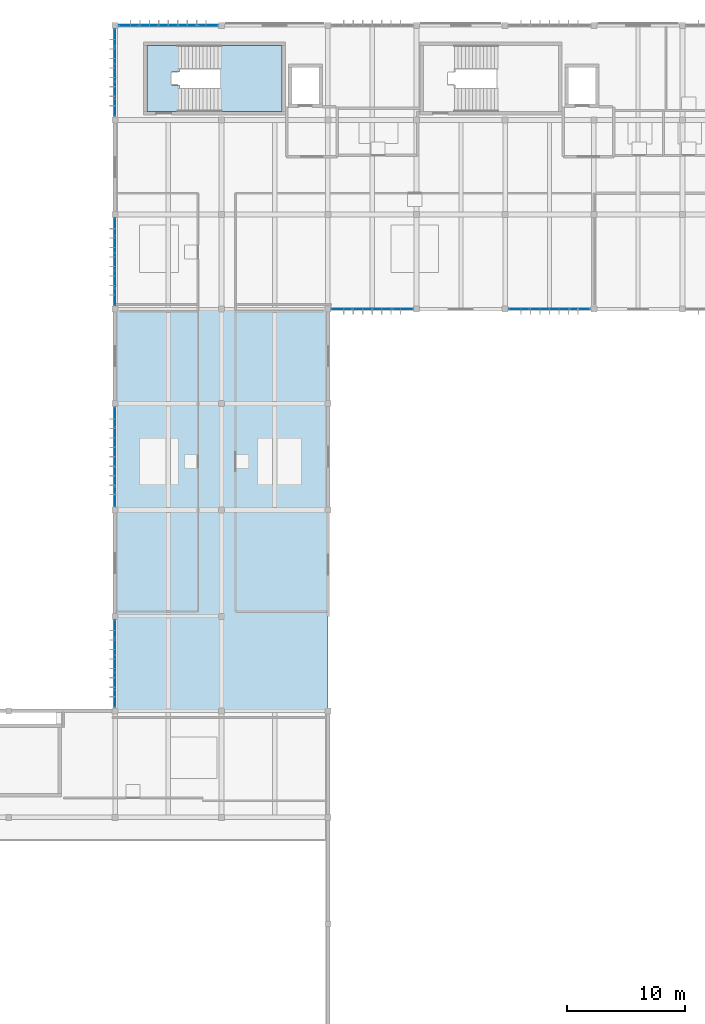
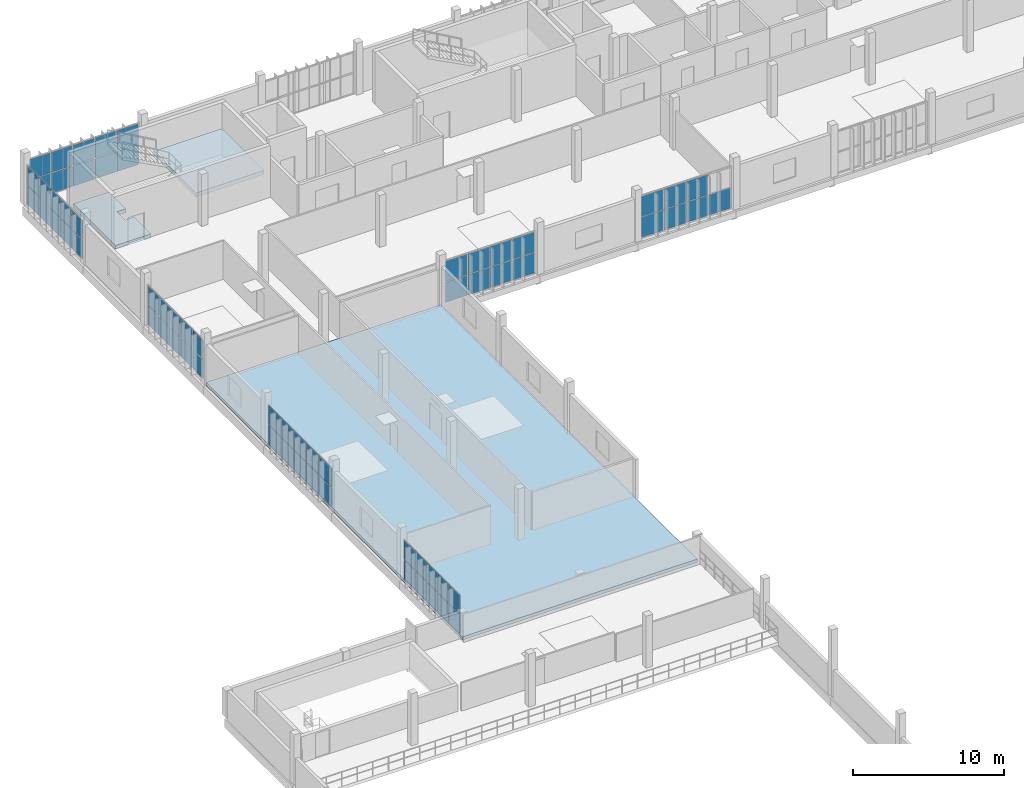
# One storey, part 15 of 27: 65 plates, 3 slabs, 8 elements without a shape of their own.
"""IFC4 building model written with IfcOpenShell, lengths in metres."""

from ifc_helpers import new_model, si_unit, direction, frame, origin, origin_2d, place, context, subcontext, project, spatial, polyline, rectangle, outline, extrude, material, layer, layer_set, type_object, element, aggregate, save


model = new_model("IFC4")

# Units and contexts
model_context = context("Model", 3, precision=1e-05, world=origin(), true_north=direction((0.0, 1.0)))
body_context = subcontext(model_context, "Body", "Model", "MODEL_VIEW")
ifc_project = project(units=[si_unit("LENGTHUNIT", "METRE"), si_unit("AREAUNIT", "SQUARE_METRE"), si_unit("VOLUMEUNIT", "CUBIC_METRE"), si_unit("PLANEANGLEUNIT", "RADIAN"), si_unit("MASSUNIT", "GRAM", prefix="KILO")], contexts=[model_context])

# Site, building, storey
site_placement = place(None, origin())
site = spatial("IfcSite", under=ifc_project, at=site_placement, CompositionType="ELEMENT")
building_placement = place(site_placement, origin())
building = spatial("IfcBuilding", under=site, at=building_placement, Name="Vourika Railside Aquatics Centre", CompositionType="ELEMENT")
storey_placement = place(building_placement, frame((0.0, 0.0, 13.5)))
storey = spatial("IfcBuildingStorey", under=building, at=storey_placement, Name="L03", CompositionType="ELEMENT", Elevation=13.5)

# Curtain wall, plates
ifc_material_1 = material(Name="Anodized thermally broken aluminium", Category="aluminium")
curtain_wall_type = type_object("IfcCurtainWallType", Name="CW-FIT3", PredefinedType="NOTDEFINED", material=ifc_material_1)
curtain_wall_1_placement = place(storey_placement, origin())
curtain_wall_1 = element("IfcCurtainWall", 1, at=curtain_wall_1_placement, inside=storey, type_object=curtain_wall_type, Name="North Boulevard Curtain Wall L03-1", PredefinedType="NOTDEFINED")
ifc_material_2 = material(Name="Low-E solar-control laminated double glazing", Category="glass")
ifc_layer_1 = layer(ifc_material_2, 0.02392578125, Name="CWP-FIT3")
ifc_layer_set_1 = layer_set([ifc_layer_1], Name="Low-E solar-control laminated double glazing")
plate_type = type_object("IfcPlateType", Name="CWP-FIT3", PredefinedType="CURTAIN_PANEL", material=ifc_layer_set_1)
plate_1_placement = place(storey_placement, frame((25.861572265625, 116.0, 0.05810546875), z_axis=(0.0, 0.0, 1.0), x_axis=(-1.0, 0.0, 0.0)))
plate_1 = element("IfcPlate", 2, at=plate_1_placement, type_object=plate_type, Name="CW17 panel 1.1", PredefinedType="CURTAIN_PANEL", context=body_context, shape_type="SweptSolid", body=[
    extrude(rectangle(XDim=1.60107421875, YDim=0.02392578125, at=origin_2d()), origin(), (0.0, 0.0, 1.0), 1.633056640625),
])
plate_2_placement = place(storey_placement, frame((25.861572265625, 116.0, 1.7490234375), z_axis=(0.0, 0.0, 1.0), x_axis=(-1.0, 0.0, 0.0)))
plate_2 = element("IfcPlate", 3, at=plate_2_placement, type_object=plate_type, Name="CW17 panel 1.2", PredefinedType="CURTAIN_PANEL", context=body_context, shape_type="SweptSolid", body=[
    extrude(rectangle(XDim=1.60107421875, YDim=0.02392578125, at=origin_2d()), origin(), (0.0, 0.0, 1.0), 1.633056640625),
])
plate_3_placement = place(storey_placement, frame((24.18798828125, 116.0, 0.05810546875), z_axis=(0.0, 0.0, 1.0), x_axis=(-1.0, 0.0, 0.0)))
plate_3 = element("IfcPlate", 4, at=plate_3_placement, type_object=plate_type, Name="CW17 panel 2.1", PredefinedType="CURTAIN_PANEL", context=body_context, shape_type="SweptSolid", body=[
    extrude(rectangle(XDim=1.6298828125, YDim=0.02392578125, at=origin_2d()), origin(), (0.0, 0.0, 1.0), 1.633056640625),
])
plate_4_placement = place(storey_placement, frame((24.18798828125, 116.0, 1.7490234375), z_axis=(0.0, 0.0, 1.0), x_axis=(-1.0, 0.0, 0.0)))
plate_4 = element("IfcPlate", 5, at=plate_4_placement, type_object=plate_type, Name="CW17 panel 2.2", PredefinedType="CURTAIN_PANEL", context=body_context, shape_type="SweptSolid", body=[
    extrude(rectangle(XDim=1.6298828125, YDim=0.02392578125, at=origin_2d()), origin(), (0.0, 0.0, 1.0), 1.633056640625),
])
plate_5_placement = place(storey_placement, frame((22.5, 116.0, 0.05810546875), z_axis=(0.0, 0.0, 1.0), x_axis=(-1.0, 0.0, 0.0)))
plate_5 = element("IfcPlate", 6, at=plate_5_placement, type_object=plate_type, Name="CW17 panel 3.1", PredefinedType="CURTAIN_PANEL", context=body_context, shape_type="SweptSolid", body=[
    extrude(rectangle(XDim=1.6298828125, YDim=0.02392578125, at=origin_2d()), origin(), (0.0, 0.0, 1.0), 1.633056640625),
])
plate_6_placement = place(storey_placement, frame((22.5, 116.0, 1.7490234375), z_axis=(0.0, 0.0, 1.0), x_axis=(-1.0, 0.0, 0.0)))
plate_6 = element("IfcPlate", 7, at=plate_6_placement, type_object=plate_type, Name="CW17 panel 3.2", PredefinedType="CURTAIN_PANEL", context=body_context, shape_type="SweptSolid", body=[
    extrude(rectangle(XDim=1.6298828125, YDim=0.02392578125, at=origin_2d()), origin(), (0.0, 0.0, 1.0), 1.633056640625),
])
plate_7_placement = place(storey_placement, frame((20.81201171875, 116.0, 0.05810546875), z_axis=(0.0, 0.0, 1.0), x_axis=(-1.0, 0.0, 0.0)))
plate_7 = element("IfcPlate", 8, at=plate_7_placement, type_object=plate_type, Name="CW17 panel 4.1", PredefinedType="CURTAIN_PANEL", context=body_context, shape_type="SweptSolid", body=[
    extrude(rectangle(XDim=1.6298828125, YDim=0.02392578125, at=origin_2d()), origin(), (0.0, 0.0, 1.0), 1.633056640625),
])
plate_8_placement = place(storey_placement, frame((20.81201171875, 116.0, 1.7490234375), z_axis=(0.0, 0.0, 1.0), x_axis=(-1.0, 0.0, 0.0)))
plate_8 = element("IfcPlate", 9, at=plate_8_placement, type_object=plate_type, Name="CW17 panel 4.2", PredefinedType="CURTAIN_PANEL", context=body_context, shape_type="SweptSolid", body=[
    extrude(rectangle(XDim=1.6298828125, YDim=0.02392578125, at=origin_2d()), origin(), (0.0, 0.0, 1.0), 1.633056640625),
])
plate_9_placement = place(storey_placement, frame((19.138427734375, 116.0, 0.05810546875), z_axis=(0.0, 0.0, 1.0), x_axis=(-1.0, 0.0, 0.0)))
plate_9 = element("IfcPlate", 10, at=plate_9_placement, type_object=plate_type, Name="CW17 panel 5.1", PredefinedType="CURTAIN_PANEL", context=body_context, shape_type="SweptSolid", body=[
    extrude(rectangle(XDim=1.60107421875, YDim=0.02392578125, at=origin_2d()), origin(), (0.0, 0.0, 1.0), 1.633056640625),
])
plate_10_placement = place(storey_placement, frame((19.138427734375, 116.0, 1.7490234375), z_axis=(0.0, 0.0, 1.0), x_axis=(-1.0, 0.0, 0.0)))
plate_10 = element("IfcPlate", 11, at=plate_10_placement, type_object=plate_type, Name="CW17 panel 5.2", PredefinedType="CURTAIN_PANEL", context=body_context, shape_type="SweptSolid", body=[
    extrude(rectangle(XDim=1.60107421875, YDim=0.02392578125, at=origin_2d()), origin(), (0.0, 0.0, 1.0), 1.633056640625),
])
aggregate(curtain_wall_1, [plate_1, plate_2, plate_3, plate_4, plate_5, plate_6, plate_7, plate_8, plate_9, plate_10])

curtain_wall_2_placement = place(storey_placement, origin())
curtain_wall_2 = element("IfcCurtainWall", 12, at=curtain_wall_2_placement, inside=storey, type_object=curtain_wall_type, Name="Courtyard Fitness Curtain Wall L03-1", PredefinedType="NOTDEFINED")
plate_11_placement = place(storey_placement, frame((37.162109375, 92.0, 0.05810546875), z_axis=(0.0, 0.0, 1.0), x_axis=(1.0, 0.0, 0.0)))
plate_11 = element("IfcPlate", 13, at=plate_11_placement, type_object=plate_type, Name="CW17 panel 1.1", PredefinedType="CURTAIN_PANEL", context=body_context, shape_type="SweptSolid", body=[
    extrude(rectangle(XDim=1.64794921875, YDim=0.02392578125, at=origin_2d()), origin(), (0.0, 0.0, 1.0), 1.633056640625),
])
plate_12_placement = place(storey_placement, frame((37.162109375, 92.0, 1.7490234375), z_axis=(0.0, 0.0, 1.0), x_axis=(1.0, 0.0, 0.0)))
plate_12 = element("IfcPlate", 14, at=plate_12_placement, type_object=plate_type, Name="CW17 panel 1.2", PredefinedType="CURTAIN_PANEL", context=body_context, shape_type="SweptSolid", body=[
    extrude(rectangle(XDim=1.64794921875, YDim=0.02392578125, at=origin_2d()), origin(), (0.0, 0.0, 1.0), 1.633056640625),
])
plate_13_placement = place(storey_placement, frame((38.882568359375, 92.0, 0.05810546875), z_axis=(0.0, 0.0, 1.0), x_axis=(1.0, 0.0, 0.0)))
plate_13 = element("IfcPlate", 15, at=plate_13_placement, type_object=plate_type, Name="CW17 panel 2.1", PredefinedType="CURTAIN_PANEL", context=body_context, shape_type="SweptSolid", body=[
    extrude(rectangle(XDim=1.677001953125, YDim=0.02392578125, at=origin_2d()), origin(), (0.0, 0.0, 1.0), 1.633056640625),
])
plate_14_placement = place(storey_placement, frame((38.882568359375, 92.0, 1.7490234375), z_axis=(0.0, 0.0, 1.0), x_axis=(1.0, 0.0, 0.0)))
plate_14 = element("IfcPlate", 16, at=plate_14_placement, type_object=plate_type, Name="CW17 panel 2.2", PredefinedType="CURTAIN_PANEL", context=body_context, shape_type="SweptSolid", body=[
    extrude(rectangle(XDim=1.677001953125, YDim=0.02392578125, at=origin_2d()), origin(), (0.0, 0.0, 1.0), 1.633056640625),
])
plate_15_placement = place(storey_placement, frame((40.617431640625, 92.0, 0.05810546875), z_axis=(0.0, 0.0, 1.0), x_axis=(1.0, 0.0, 0.0)))
plate_15 = element("IfcPlate", 17, at=plate_15_placement, type_object=plate_type, Name="CW17 panel 3.1", PredefinedType="CURTAIN_PANEL", context=body_context, shape_type="SweptSolid", body=[
    extrude(rectangle(XDim=1.677001953125, YDim=0.02392578125, at=origin_2d()), origin(), (0.0, 0.0, 1.0), 1.633056640625),
])
plate_16_placement = place(storey_placement, frame((40.617431640625, 92.0, 1.7490234375), z_axis=(0.0, 0.0, 1.0), x_axis=(1.0, 0.0, 0.0)))
plate_16 = element("IfcPlate", 18, at=plate_16_placement, type_object=plate_type, Name="CW17 panel 3.2", PredefinedType="CURTAIN_PANEL", context=body_context, shape_type="SweptSolid", body=[
    extrude(rectangle(XDim=1.677001953125, YDim=0.02392578125, at=origin_2d()), origin(), (0.0, 0.0, 1.0), 1.633056640625),
])
plate_17_placement = place(storey_placement, frame((42.337890625, 92.0, 0.05810546875), z_axis=(0.0, 0.0, 1.0), x_axis=(1.0, 0.0, 0.0)))
plate_17 = element("IfcPlate", 19, at=plate_17_placement, type_object=plate_type, Name="CW17 panel 4.1", PredefinedType="CURTAIN_PANEL", context=body_context, shape_type="SweptSolid", body=[
    extrude(rectangle(XDim=1.64794921875, YDim=0.02392578125, at=origin_2d()), origin(), (0.0, 0.0, 1.0), 1.633056640625),
])
plate_18_placement = place(storey_placement, frame((42.337890625, 92.0, 1.7490234375), z_axis=(0.0, 0.0, 1.0), x_axis=(1.0, 0.0, 0.0)))
plate_18 = element("IfcPlate", 20, at=plate_18_placement, type_object=plate_type, Name="CW17 panel 4.2", PredefinedType="CURTAIN_PANEL", context=body_context, shape_type="SweptSolid", body=[
    extrude(rectangle(XDim=1.64794921875, YDim=0.02392578125, at=origin_2d()), origin(), (0.0, 0.0, 1.0), 1.633056640625),
])
aggregate(curtain_wall_2, [plate_11, plate_12, plate_13, plate_14, plate_15, plate_16, plate_17, plate_18])

curtain_wall_3_placement = place(storey_placement, origin())
curtain_wall_3 = element("IfcCurtainWall", 21, at=curtain_wall_3_placement, inside=storey, type_object=curtain_wall_type, Name="Courtyard Fitness Curtain Wall L03-3", PredefinedType="NOTDEFINED")
plate_19_placement = place(storey_placement, frame((52.162109375, 92.0, 0.05810546875), z_axis=(0.0, 0.0, 1.0), x_axis=(1.0, 0.0, 0.0)))
plate_19 = element("IfcPlate", 22, at=plate_19_placement, type_object=plate_type, Name="CW17 panel 1.1", PredefinedType="CURTAIN_PANEL", context=body_context, shape_type="SweptSolid", body=[
    extrude(rectangle(XDim=1.64794921875, YDim=0.02392578125, at=origin_2d()), origin(), (0.0, 0.0, 1.0), 1.633056640625),
])
plate_20_placement = place(storey_placement, frame((52.162109375, 92.0, 1.7490234375), z_axis=(0.0, 0.0, 1.0), x_axis=(1.0, 0.0, 0.0)))
plate_20 = element("IfcPlate", 23, at=plate_20_placement, type_object=plate_type, Name="CW17 panel 1.2", PredefinedType="CURTAIN_PANEL", context=body_context, shape_type="SweptSolid", body=[
    extrude(rectangle(XDim=1.64794921875, YDim=0.02392578125, at=origin_2d()), origin(), (0.0, 0.0, 1.0), 1.633056640625),
])
plate_21_placement = place(storey_placement, frame((53.882568359375, 92.0, 0.05810546875), z_axis=(0.0, 0.0, 1.0), x_axis=(1.0, 0.0, 0.0)))
plate_21 = element("IfcPlate", 24, at=plate_21_placement, type_object=plate_type, Name="CW17 panel 2.1", PredefinedType="CURTAIN_PANEL", context=body_context, shape_type="SweptSolid", body=[
    extrude(rectangle(XDim=1.677001953125, YDim=0.02392578125, at=origin_2d()), origin(), (0.0, 0.0, 1.0), 1.633056640625),
])
plate_22_placement = place(storey_placement, frame((53.882568359375, 92.0, 1.7490234375), z_axis=(0.0, 0.0, 1.0), x_axis=(1.0, 0.0, 0.0)))
plate_22 = element("IfcPlate", 25, at=plate_22_placement, type_object=plate_type, Name="CW17 panel 2.2", PredefinedType="CURTAIN_PANEL", context=body_context, shape_type="SweptSolid", body=[
    extrude(rectangle(XDim=1.677001953125, YDim=0.02392578125, at=origin_2d()), origin(), (0.0, 0.0, 1.0), 1.633056640625),
])
plate_23_placement = place(storey_placement, frame((55.617431640625, 92.0, 0.05810546875), z_axis=(0.0, 0.0, 1.0), x_axis=(1.0, 0.0, 0.0)))
plate_23 = element("IfcPlate", 26, at=plate_23_placement, type_object=plate_type, Name="CW17 panel 3.1", PredefinedType="CURTAIN_PANEL", context=body_context, shape_type="SweptSolid", body=[
    extrude(rectangle(XDim=1.677001953125, YDim=0.02392578125, at=origin_2d()), origin(), (0.0, 0.0, 1.0), 1.633056640625),
])
plate_24_placement = place(storey_placement, frame((55.617431640625, 92.0, 1.7490234375), z_axis=(0.0, 0.0, 1.0), x_axis=(1.0, 0.0, 0.0)))
plate_24 = element("IfcPlate", 27, at=plate_24_placement, type_object=plate_type, Name="CW17 panel 3.2", PredefinedType="CURTAIN_PANEL", context=body_context, shape_type="SweptSolid", body=[
    extrude(rectangle(XDim=1.677001953125, YDim=0.02392578125, at=origin_2d()), origin(), (0.0, 0.0, 1.0), 1.633056640625),
])
plate_25_placement = place(storey_placement, frame((57.337890625, 92.0, 0.05810546875), z_axis=(0.0, 0.0, 1.0), x_axis=(1.0, 0.0, 0.0)))
plate_25 = element("IfcPlate", 28, at=plate_25_placement, type_object=plate_type, Name="CW17 panel 4.1", PredefinedType="CURTAIN_PANEL", context=body_context, shape_type="SweptSolid", body=[
    extrude(rectangle(XDim=1.64794921875, YDim=0.02392578125, at=origin_2d()), origin(), (0.0, 0.0, 1.0), 1.633056640625),
])
aggregate(curtain_wall_3, [plate_19, plate_20, plate_21, plate_22, plate_23, plate_24, plate_25])

curtain_wall_4_placement = place(storey_placement, origin())
curtain_wall_4 = element("IfcCurtainWall", 29, at=curtain_wall_4_placement, inside=storey, type_object=curtain_wall_type, Name="Fitness West Boulevard Curtain Wall L03-1", PredefinedType="NOTDEFINED")
plate_26_placement = place(storey_placement, frame((18.0, 64.96142578125, 0.05810546875), z_axis=(0.0, 0.0, 1.0), x_axis=(0.0, -1.0, 0.0)))
plate_26 = element("IfcPlate", 30, at=plate_26_placement, type_object=plate_type, Name="CW17 panel 1.1", PredefinedType="CURTAIN_PANEL", context=body_context, shape_type="SweptSolid", body=[
    extrude(rectangle(XDim=1.40087890625, YDim=0.02392578125, at=origin_2d()), origin(), (0.0, 0.0, 1.0), 1.532958984375),
])
plate_27_placement = place(storey_placement, frame((18.0, 64.96142578125, 1.64892578125), z_axis=(0.0, 0.0, 1.0), x_axis=(0.0, -1.0, 0.0)))
plate_27 = element("IfcPlate", 31, at=plate_27_placement, type_object=plate_type, Name="CW17 panel 1.2", PredefinedType="CURTAIN_PANEL", context=body_context, shape_type="SweptSolid", body=[
    extrude(rectangle(XDim=1.40087890625, YDim=0.02392578125, at=origin_2d()), origin(), (0.0, 0.0, 1.0), 1.532958984375),
])
plate_28_placement = place(storey_placement, frame((18.0, 63.488037109375, 0.05810546875), z_axis=(0.0, 0.0, 1.0), x_axis=(0.0, -1.0, 0.0)))
plate_28 = element("IfcPlate", 32, at=plate_28_placement, type_object=plate_type, Name="CW17 panel 2.1", PredefinedType="CURTAIN_PANEL", context=body_context, shape_type="SweptSolid", body=[
    extrude(rectangle(XDim=1.429931640625, YDim=0.02392578125, at=origin_2d()), origin(), (0.0, 0.0, 1.0), 1.532958984375),
])
plate_29_placement = place(storey_placement, frame((18.0, 63.488037109375, 1.64892578125), z_axis=(0.0, 0.0, 1.0), x_axis=(0.0, -1.0, 0.0)))
plate_29 = element("IfcPlate", 33, at=plate_29_placement, type_object=plate_type, Name="CW17 panel 2.2", PredefinedType="CURTAIN_PANEL", context=body_context, shape_type="SweptSolid", body=[
    extrude(rectangle(XDim=1.429931640625, YDim=0.02392578125, at=origin_2d()), origin(), (0.0, 0.0, 1.0), 1.532958984375),
])
plate_30_placement = place(storey_placement, frame((18.0, 62.0, 0.05810546875), z_axis=(0.0, 0.0, 1.0), x_axis=(0.0, -1.0, 0.0)))
plate_30 = element("IfcPlate", 34, at=plate_30_placement, type_object=plate_type, Name="CW17 panel 3.1", PredefinedType="CURTAIN_PANEL", context=body_context, shape_type="SweptSolid", body=[
    extrude(rectangle(XDim=1.429931640625, YDim=0.02392578125, at=origin_2d()), origin(), (0.0, 0.0, 1.0), 1.532958984375),
])
plate_31_placement = place(storey_placement, frame((18.0, 62.0, 1.64892578125), z_axis=(0.0, 0.0, 1.0), x_axis=(0.0, -1.0, 0.0)))
plate_31 = element("IfcPlate", 35, at=plate_31_placement, type_object=plate_type, Name="CW17 panel 3.2", PredefinedType="CURTAIN_PANEL", context=body_context, shape_type="SweptSolid", body=[
    extrude(rectangle(XDim=1.429931640625, YDim=0.02392578125, at=origin_2d()), origin(), (0.0, 0.0, 1.0), 1.532958984375),
])
plate_32_placement = place(storey_placement, frame((18.0, 60.511962890625, 0.05810546875), z_axis=(0.0, 0.0, 1.0), x_axis=(0.0, -1.0, 0.0)))
plate_32 = element("IfcPlate", 36, at=plate_32_placement, type_object=plate_type, Name="CW17 panel 4.1", PredefinedType="CURTAIN_PANEL", context=body_context, shape_type="SweptSolid", body=[
    extrude(rectangle(XDim=1.429931640625, YDim=0.02392578125, at=origin_2d()), origin(), (0.0, 0.0, 1.0), 1.532958984375),
])
plate_33_placement = place(storey_placement, frame((18.0, 60.511962890625, 1.64892578125), z_axis=(0.0, 0.0, 1.0), x_axis=(0.0, -1.0, 0.0)))
plate_33 = element("IfcPlate", 37, at=plate_33_placement, type_object=plate_type, Name="CW17 panel 4.2", PredefinedType="CURTAIN_PANEL", context=body_context, shape_type="SweptSolid", body=[
    extrude(rectangle(XDim=1.429931640625, YDim=0.02392578125, at=origin_2d()), origin(), (0.0, 0.0, 1.0), 1.532958984375),
])
plate_34_placement = place(storey_placement, frame((18.0, 59.03857421875, 0.05810546875), z_axis=(0.0, 0.0, 1.0), x_axis=(0.0, -1.0, 0.0)))
plate_34 = element("IfcPlate", 38, at=plate_34_placement, type_object=plate_type, Name="CW17 panel 5.1", PredefinedType="CURTAIN_PANEL", context=body_context, shape_type="SweptSolid", body=[
    extrude(rectangle(XDim=1.40087890625, YDim=0.02392578125, at=origin_2d()), origin(), (0.0, 0.0, 1.0), 1.532958984375),
])
plate_35_placement = place(storey_placement, frame((18.0, 59.03857421875, 1.64892578125), z_axis=(0.0, 0.0, 1.0), x_axis=(0.0, -1.0, 0.0)))
plate_35 = element("IfcPlate", 39, at=plate_35_placement, type_object=plate_type, Name="CW17 panel 5.2", PredefinedType="CURTAIN_PANEL", context=body_context, shape_type="SweptSolid", body=[
    extrude(rectangle(XDim=1.40087890625, YDim=0.02392578125, at=origin_2d()), origin(), (0.0, 0.0, 1.0), 1.532958984375),
])
aggregate(curtain_wall_4, [plate_26, plate_27, plate_28, plate_29, plate_30, plate_31, plate_32, plate_33, plate_34, plate_35])

curtain_wall_5_placement = place(storey_placement, origin())
curtain_wall_5 = element("IfcCurtainWall", 40, at=curtain_wall_5_placement, inside=storey, type_object=curtain_wall_type, Name="Fitness West Boulevard Curtain Wall L03-3", PredefinedType="NOTDEFINED")
plate_36_placement = place(storey_placement, frame((18.0, 82.861572265625, 0.05810546875), z_axis=(0.0, 0.0, 1.0), x_axis=(0.0, -1.0, 0.0)))
plate_36 = element("IfcPlate", 41, at=plate_36_placement, type_object=plate_type, Name="CW17 panel 1.1", PredefinedType="CURTAIN_PANEL", context=body_context, shape_type="SweptSolid", body=[
    extrude(rectangle(XDim=1.60107421875, YDim=0.02392578125, at=origin_2d()), origin(), (0.0, 0.0, 1.0), 1.532958984375),
])
plate_37_placement = place(storey_placement, frame((18.0, 82.861572265625, 1.64892578125), z_axis=(0.0, 0.0, 1.0), x_axis=(0.0, -1.0, 0.0)))
plate_37 = element("IfcPlate", 42, at=plate_37_placement, type_object=plate_type, Name="CW17 panel 1.2", PredefinedType="CURTAIN_PANEL", context=body_context, shape_type="SweptSolid", body=[
    extrude(rectangle(XDim=1.60107421875, YDim=0.02392578125, at=origin_2d()), origin(), (0.0, 0.0, 1.0), 1.532958984375),
])
plate_38_placement = place(storey_placement, frame((18.0, 81.18798828125, 0.05810546875), z_axis=(0.0, 0.0, 1.0), x_axis=(0.0, -1.0, 0.0)))
plate_38 = element("IfcPlate", 43, at=plate_38_placement, type_object=plate_type, Name="CW17 panel 2.1", PredefinedType="CURTAIN_PANEL", context=body_context, shape_type="SweptSolid", body=[
    extrude(rectangle(XDim=1.6298828125, YDim=0.02392578125, at=origin_2d()), origin(), (0.0, 0.0, 1.0), 1.532958984375),
])
plate_39_placement = place(storey_placement, frame((18.0, 81.18798828125, 1.64892578125), z_axis=(0.0, 0.0, 1.0), x_axis=(0.0, -1.0, 0.0)))
plate_39 = element("IfcPlate", 44, at=plate_39_placement, type_object=plate_type, Name="CW17 panel 2.2", PredefinedType="CURTAIN_PANEL", context=body_context, shape_type="SweptSolid", body=[
    extrude(rectangle(XDim=1.6298828125, YDim=0.02392578125, at=origin_2d()), origin(), (0.0, 0.0, 1.0), 1.532958984375),
])
plate_40_placement = place(storey_placement, frame((18.0, 79.5, 0.05810546875), z_axis=(0.0, 0.0, 1.0), x_axis=(0.0, -1.0, 0.0)))
plate_40 = element("IfcPlate", 45, at=plate_40_placement, type_object=plate_type, Name="CW17 panel 3.1", PredefinedType="CURTAIN_PANEL", context=body_context, shape_type="SweptSolid", body=[
    extrude(rectangle(XDim=1.6298828125, YDim=0.02392578125, at=origin_2d()), origin(), (0.0, 0.0, 1.0), 1.532958984375),
])
plate_41_placement = place(storey_placement, frame((18.0, 79.5, 1.64892578125), z_axis=(0.0, 0.0, 1.0), x_axis=(0.0, -1.0, 0.0)))
plate_41 = element("IfcPlate", 46, at=plate_41_placement, type_object=plate_type, Name="CW17 panel 3.2", PredefinedType="CURTAIN_PANEL", context=body_context, shape_type="SweptSolid", body=[
    extrude(rectangle(XDim=1.6298828125, YDim=0.02392578125, at=origin_2d()), origin(), (0.0, 0.0, 1.0), 1.532958984375),
])
plate_42_placement = place(storey_placement, frame((18.0, 77.81201171875, 0.05810546875), z_axis=(0.0, 0.0, 1.0), x_axis=(0.0, -1.0, 0.0)))
plate_42 = element("IfcPlate", 47, at=plate_42_placement, type_object=plate_type, Name="CW17 panel 4.1", PredefinedType="CURTAIN_PANEL", context=body_context, shape_type="SweptSolid", body=[
    extrude(rectangle(XDim=1.6298828125, YDim=0.02392578125, at=origin_2d()), origin(), (0.0, 0.0, 1.0), 1.532958984375),
])
plate_43_placement = place(storey_placement, frame((18.0, 77.81201171875, 1.64892578125), z_axis=(0.0, 0.0, 1.0), x_axis=(0.0, -1.0, 0.0)))
plate_43 = element("IfcPlate", 48, at=plate_43_placement, type_object=plate_type, Name="CW17 panel 4.2", PredefinedType="CURTAIN_PANEL", context=body_context, shape_type="SweptSolid", body=[
    extrude(rectangle(XDim=1.6298828125, YDim=0.02392578125, at=origin_2d()), origin(), (0.0, 0.0, 1.0), 1.532958984375),
])
plate_44_placement = place(storey_placement, frame((18.0, 76.138427734375, 0.05810546875), z_axis=(0.0, 0.0, 1.0), x_axis=(0.0, -1.0, 0.0)))
plate_44 = element("IfcPlate", 49, at=plate_44_placement, type_object=plate_type, Name="CW17 panel 5.1", PredefinedType="CURTAIN_PANEL", context=body_context, shape_type="SweptSolid", body=[
    extrude(rectangle(XDim=1.60107421875, YDim=0.02392578125, at=origin_2d()), origin(), (0.0, 0.0, 1.0), 1.532958984375),
])
plate_45_placement = place(storey_placement, frame((18.0, 76.138427734375, 1.64892578125), z_axis=(0.0, 0.0, 1.0), x_axis=(0.0, -1.0, 0.0)))
plate_45 = element("IfcPlate", 50, at=plate_45_placement, type_object=plate_type, Name="CW17 panel 5.2", PredefinedType="CURTAIN_PANEL", context=body_context, shape_type="SweptSolid", body=[
    extrude(rectangle(XDim=1.60107421875, YDim=0.02392578125, at=origin_2d()), origin(), (0.0, 0.0, 1.0), 1.532958984375),
])
aggregate(curtain_wall_5, [plate_36, plate_37, plate_38, plate_39, plate_40, plate_41, plate_42, plate_43, plate_44, plate_45])

curtain_wall_6_placement = place(storey_placement, origin())
curtain_wall_6 = element("IfcCurtainWall", 51, at=curtain_wall_6_placement, inside=storey, type_object=curtain_wall_type, Name="Fitness West Boulevard Curtain Wall L03-5", PredefinedType="NOTDEFINED")
plate_46_placement = place(storey_placement, frame((18.0, 98.96142578125, 0.05810546875), z_axis=(0.0, 0.0, 1.0), x_axis=(0.0, -1.0, 0.0)))
plate_46 = element("IfcPlate", 52, at=plate_46_placement, type_object=plate_type, Name="CW17 panel 1.1", PredefinedType="CURTAIN_PANEL", context=body_context, shape_type="SweptSolid", body=[
    extrude(rectangle(XDim=1.40087890625, YDim=0.02392578125, at=origin_2d()), origin(), (0.0, 0.0, 1.0), 1.532958984375),
])
plate_47_placement = place(storey_placement, frame((18.0, 98.96142578125, 1.64892578125), z_axis=(0.0, 0.0, 1.0), x_axis=(0.0, -1.0, 0.0)))
plate_47 = element("IfcPlate", 53, at=plate_47_placement, type_object=plate_type, Name="CW17 panel 1.2", PredefinedType="CURTAIN_PANEL", context=body_context, shape_type="SweptSolid", body=[
    extrude(rectangle(XDim=1.40087890625, YDim=0.02392578125, at=origin_2d()), origin(), (0.0, 0.0, 1.0), 1.532958984375),
])
plate_48_placement = place(storey_placement, frame((18.0, 97.488037109375, 0.05810546875), z_axis=(0.0, 0.0, 1.0), x_axis=(0.0, -1.0, 0.0)))
plate_48 = element("IfcPlate", 54, at=plate_48_placement, type_object=plate_type, Name="CW17 panel 2.1", PredefinedType="CURTAIN_PANEL", context=body_context, shape_type="SweptSolid", body=[
    extrude(rectangle(XDim=1.429931640625, YDim=0.02392578125, at=origin_2d()), origin(), (0.0, 0.0, 1.0), 1.532958984375),
])
plate_49_placement = place(storey_placement, frame((18.0, 97.488037109375, 1.64892578125), z_axis=(0.0, 0.0, 1.0), x_axis=(0.0, -1.0, 0.0)))
plate_49 = element("IfcPlate", 55, at=plate_49_placement, type_object=plate_type, Name="CW17 panel 2.2", PredefinedType="CURTAIN_PANEL", context=body_context, shape_type="SweptSolid", body=[
    extrude(rectangle(XDim=1.429931640625, YDim=0.02392578125, at=origin_2d()), origin(), (0.0, 0.0, 1.0), 1.532958984375),
])
plate_50_placement = place(storey_placement, frame((18.0, 96.0, 0.05810546875), z_axis=(0.0, 0.0, 1.0), x_axis=(0.0, -1.0, 0.0)))
plate_50 = element("IfcPlate", 56, at=plate_50_placement, type_object=plate_type, Name="CW17 panel 3.1", PredefinedType="CURTAIN_PANEL", context=body_context, shape_type="SweptSolid", body=[
    extrude(rectangle(XDim=1.429931640625, YDim=0.02392578125, at=origin_2d()), origin(), (0.0, 0.0, 1.0), 1.532958984375),
])
plate_51_placement = place(storey_placement, frame((18.0, 96.0, 1.64892578125), z_axis=(0.0, 0.0, 1.0), x_axis=(0.0, -1.0, 0.0)))
plate_51 = element("IfcPlate", 57, at=plate_51_placement, type_object=plate_type, Name="CW17 panel 3.2", PredefinedType="CURTAIN_PANEL", context=body_context, shape_type="SweptSolid", body=[
    extrude(rectangle(XDim=1.429931640625, YDim=0.02392578125, at=origin_2d()), origin(), (0.0, 0.0, 1.0), 1.532958984375),
])
plate_52_placement = place(storey_placement, frame((18.0, 94.511962890625, 0.05810546875), z_axis=(0.0, 0.0, 1.0), x_axis=(0.0, -1.0, 0.0)))
plate_52 = element("IfcPlate", 58, at=plate_52_placement, type_object=plate_type, Name="CW17 panel 4.1", PredefinedType="CURTAIN_PANEL", context=body_context, shape_type="SweptSolid", body=[
    extrude(rectangle(XDim=1.429931640625, YDim=0.02392578125, at=origin_2d()), origin(), (0.0, 0.0, 1.0), 1.532958984375),
])
plate_53_placement = place(storey_placement, frame((18.0, 94.511962890625, 1.64892578125), z_axis=(0.0, 0.0, 1.0), x_axis=(0.0, -1.0, 0.0)))
plate_53 = element("IfcPlate", 59, at=plate_53_placement, type_object=plate_type, Name="CW17 panel 4.2", PredefinedType="CURTAIN_PANEL", context=body_context, shape_type="SweptSolid", body=[
    extrude(rectangle(XDim=1.429931640625, YDim=0.02392578125, at=origin_2d()), origin(), (0.0, 0.0, 1.0), 1.532958984375),
])
plate_54_placement = place(storey_placement, frame((18.0, 93.03857421875, 0.05810546875), z_axis=(0.0, 0.0, 1.0), x_axis=(0.0, -1.0, 0.0)))
plate_54 = element("IfcPlate", 60, at=plate_54_placement, type_object=plate_type, Name="CW17 panel 5.1", PredefinedType="CURTAIN_PANEL", context=body_context, shape_type="SweptSolid", body=[
    extrude(rectangle(XDim=1.40087890625, YDim=0.02392578125, at=origin_2d()), origin(), (0.0, 0.0, 1.0), 1.532958984375),
])
plate_55_placement = place(storey_placement, frame((18.0, 93.03857421875, 1.64892578125), z_axis=(0.0, 0.0, 1.0), x_axis=(0.0, -1.0, 0.0)))
plate_55 = element("IfcPlate", 61, at=plate_55_placement, type_object=plate_type, Name="CW17 panel 5.2", PredefinedType="CURTAIN_PANEL", context=body_context, shape_type="SweptSolid", body=[
    extrude(rectangle(XDim=1.40087890625, YDim=0.02392578125, at=origin_2d()), origin(), (0.0, 0.0, 1.0), 1.532958984375),
])
aggregate(curtain_wall_6, [plate_46, plate_47, plate_48, plate_49, plate_50, plate_51, plate_52, plate_53, plate_54, plate_55])

curtain_wall_7_placement = place(storey_placement, origin())
curtain_wall_7 = element("IfcCurtainWall", 62, at=curtain_wall_7_placement, inside=storey, type_object=curtain_wall_type, Name="Fitness West Boulevard Curtain Wall L03-7", PredefinedType="NOTDEFINED")
plate_56_placement = place(storey_placement, frame((18.0, 114.96142578125, 0.05810546875), z_axis=(0.0, 0.0, 1.0), x_axis=(0.0, -1.0, 0.0)))
plate_56 = element("IfcPlate", 63, at=plate_56_placement, type_object=plate_type, Name="CW17 panel 1.1", PredefinedType="CURTAIN_PANEL", context=body_context, shape_type="SweptSolid", body=[
    extrude(rectangle(XDim=1.40087890625, YDim=0.02392578125, at=origin_2d()), origin(), (0.0, 0.0, 1.0), 1.532958984375),
])
plate_57_placement = place(storey_placement, frame((18.0, 114.96142578125, 1.64892578125), z_axis=(0.0, 0.0, 1.0), x_axis=(0.0, -1.0, 0.0)))
plate_57 = element("IfcPlate", 64, at=plate_57_placement, type_object=plate_type, Name="CW17 panel 1.2", PredefinedType="CURTAIN_PANEL", context=body_context, shape_type="SweptSolid", body=[
    extrude(rectangle(XDim=1.40087890625, YDim=0.02392578125, at=origin_2d()), origin(), (0.0, 0.0, 1.0), 1.532958984375),
])
plate_58_placement = place(storey_placement, frame((18.0, 113.488037109375, 0.05810546875), z_axis=(0.0, 0.0, 1.0), x_axis=(0.0, -1.0, 0.0)))
plate_58 = element("IfcPlate", 65, at=plate_58_placement, type_object=plate_type, Name="CW17 panel 2.1", PredefinedType="CURTAIN_PANEL", context=body_context, shape_type="SweptSolid", body=[
    extrude(rectangle(XDim=1.429931640625, YDim=0.02392578125, at=origin_2d()), origin(), (0.0, 0.0, 1.0), 1.532958984375),
])
plate_59_placement = place(storey_placement, frame((18.0, 113.488037109375, 1.64892578125), z_axis=(0.0, 0.0, 1.0), x_axis=(0.0, -1.0, 0.0)))
plate_59 = element("IfcPlate", 66, at=plate_59_placement, type_object=plate_type, Name="CW17 panel 2.2", PredefinedType="CURTAIN_PANEL", context=body_context, shape_type="SweptSolid", body=[
    extrude(rectangle(XDim=1.429931640625, YDim=0.02392578125, at=origin_2d()), origin(), (0.0, 0.0, 1.0), 1.532958984375),
])
plate_60_placement = place(storey_placement, frame((18.0, 112.0, 0.05810546875), z_axis=(0.0, 0.0, 1.0), x_axis=(0.0, -1.0, 0.0)))
plate_60 = element("IfcPlate", 67, at=plate_60_placement, type_object=plate_type, Name="CW17 panel 3.1", PredefinedType="CURTAIN_PANEL", context=body_context, shape_type="SweptSolid", body=[
    extrude(rectangle(XDim=1.429931640625, YDim=0.02392578125, at=origin_2d()), origin(), (0.0, 0.0, 1.0), 1.532958984375),
])
plate_61_placement = place(storey_placement, frame((18.0, 112.0, 1.64892578125), z_axis=(0.0, 0.0, 1.0), x_axis=(0.0, -1.0, 0.0)))
plate_61 = element("IfcPlate", 68, at=plate_61_placement, type_object=plate_type, Name="CW17 panel 3.2", PredefinedType="CURTAIN_PANEL", context=body_context, shape_type="SweptSolid", body=[
    extrude(rectangle(XDim=1.429931640625, YDim=0.02392578125, at=origin_2d()), origin(), (0.0, 0.0, 1.0), 1.532958984375),
])
plate_62_placement = place(storey_placement, frame((18.0, 110.511962890625, 0.05810546875), z_axis=(0.0, 0.0, 1.0), x_axis=(0.0, -1.0, 0.0)))
plate_62 = element("IfcPlate", 69, at=plate_62_placement, type_object=plate_type, Name="CW17 panel 4.1", PredefinedType="CURTAIN_PANEL", context=body_context, shape_type="SweptSolid", body=[
    extrude(rectangle(XDim=1.429931640625, YDim=0.02392578125, at=origin_2d()), origin(), (0.0, 0.0, 1.0), 1.532958984375),
])
plate_63_placement = place(storey_placement, frame((18.0, 110.511962890625, 1.64892578125), z_axis=(0.0, 0.0, 1.0), x_axis=(0.0, -1.0, 0.0)))
plate_63 = element("IfcPlate", 70, at=plate_63_placement, type_object=plate_type, Name="CW17 panel 4.2", PredefinedType="CURTAIN_PANEL", context=body_context, shape_type="SweptSolid", body=[
    extrude(rectangle(XDim=1.429931640625, YDim=0.02392578125, at=origin_2d()), origin(), (0.0, 0.0, 1.0), 1.532958984375),
])
plate_64_placement = place(storey_placement, frame((18.0, 109.03857421875, 0.05810546875), z_axis=(0.0, 0.0, 1.0), x_axis=(0.0, -1.0, 0.0)))
plate_64 = element("IfcPlate", 71, at=plate_64_placement, type_object=plate_type, Name="CW17 panel 5.1", PredefinedType="CURTAIN_PANEL", context=body_context, shape_type="SweptSolid", body=[
    extrude(rectangle(XDim=1.40087890625, YDim=0.02392578125, at=origin_2d()), origin(), (0.0, 0.0, 1.0), 1.532958984375),
])
plate_65_placement = place(storey_placement, frame((18.0, 109.03857421875, 1.64892578125), z_axis=(0.0, 0.0, 1.0), x_axis=(0.0, -1.0, 0.0)))
plate_65 = element("IfcPlate", 72, at=plate_65_placement, type_object=plate_type, Name="CW17 panel 5.2", PredefinedType="CURTAIN_PANEL", context=body_context, shape_type="SweptSolid", body=[
    extrude(rectangle(XDim=1.40087890625, YDim=0.02392578125, at=origin_2d()), origin(), (0.0, 0.0, 1.0), 1.532958984375),
])
aggregate(curtain_wall_7, [plate_56, plate_57, plate_58, plate_59, plate_60, plate_61, plate_62, plate_63, plate_64, plate_65])

# Slabs
ifc_material_3 = material(Name="Concrete C35/45", Category="concrete")
ifc_layer_2 = layer(ifc_material_3, 0.31005859375, Name="SLB-CORE-310")
ifc_layer_set_2 = layer_set([ifc_layer_2], Name="Concrete C35/45")
slab_type_1 = type_object("IfcSlabType", Name="SLB-CORE-310", PredefinedType="FLOOR", material=ifc_layer_set_2)
slab_1_placement = place(storey_placement, frame((0.0, 0.0, -0.31005859375)))
element("IfcSlab", 73, at=slab_1_placement, inside=storey, type_object=slab_type_1, Name="Protected Exit Stair Core ST01 Core Floor Landing (L03)", PredefinedType="FLOOR", context=body_context, shape_type="SweptSolid", body=[
    extrude(outline(polyline([(20.699951171875, 108.699951171875), (23.43994140625, 108.699951171875), (23.43994140625, 110.949951171875), (22.75, 110.949951171875), (22.75, 112.050048828125), (23.43994140625, 112.050048828125), (23.43994140625, 114.300048828125), (20.699951171875, 114.300048828125), (20.699951171875, 108.699951171875)])), origin(), (0.0, 0.0, 1.0), 0.31005859375),
])
ifc_layer_3 = layer(ifc_material_3, 0.260009765625, Name="SLB-FLOOR-260")
ifc_layer_set_3 = layer_set([ifc_layer_3], Name="Concrete C35/45")
slab_type_2 = type_object("IfcSlabType", Name="SLB-FLOOR-260", PredefinedType="FLOOR", material=ifc_layer_set_3)
slab_2_placement = place(storey_placement, frame((0.0, 0.0, -0.260009765625)))
element("IfcSlab", 74, at=slab_2_placement, inside=storey, type_object=slab_type_2, Name="L03 Floor Slab (v5_link_l03)", PredefinedType="FLOOR", context=body_context, shape_type="SweptSolid", body=[
    extrude(outline(polyline([(18.0, 58.0), (18.0, 92.0), (36.0, 92.0), (36.0, 58.0), (18.0, 58.0)])), origin(), (0.0, 0.0, 1.0), 0.260009765625),
])

# Stair, slab
stair_type = type_object("IfcStairType", Name="STR-CORE-L03", PredefinedType="TWO_STRAIGHT_RUN_STAIR", material=ifc_material_3)
stair_placement = place(storey_placement, origin())
stair = element("IfcStair", 75, at=stair_placement, inside=storey, type_object=stair_type, Name="Protected Exit Stair Core ST01 (L03)", PredefinedType="TWO_STRAIGHT_RUN_STAIR")
ifc_layer_4 = layer(ifc_material_3, 0.31005859375, Name="SLB-LND-310")
ifc_layer_set_4 = layer_set([ifc_layer_4], Name="Concrete C35/45")
slab_type_3 = type_object("IfcSlabType", Name="SLB-LND-310", PredefinedType="LANDING", material=ifc_layer_set_4)
slab_3_placement = place(storey_placement, frame((0.0, 0.0, 1.7900390625)))
slab_3 = element("IfcSlab", 76, at=slab_3_placement, type_object=slab_type_3, Name="STC-L03 landing 1", PredefinedType="LANDING", context=body_context, shape_type="SweptSolid", body=[
    extrude(outline(polyline([(26.85595703125, 108.699951171875), (32.10009765625, 108.699951171875), (32.10009765625, 114.300048828125), (26.85595703125, 114.300048828125), (26.85595703125, 108.699951171875)])), origin(), (0.0, 0.0, 1.0), 0.31005859375),
])
aggregate(stair, [slab_3])

save(model, "model.ifc")
